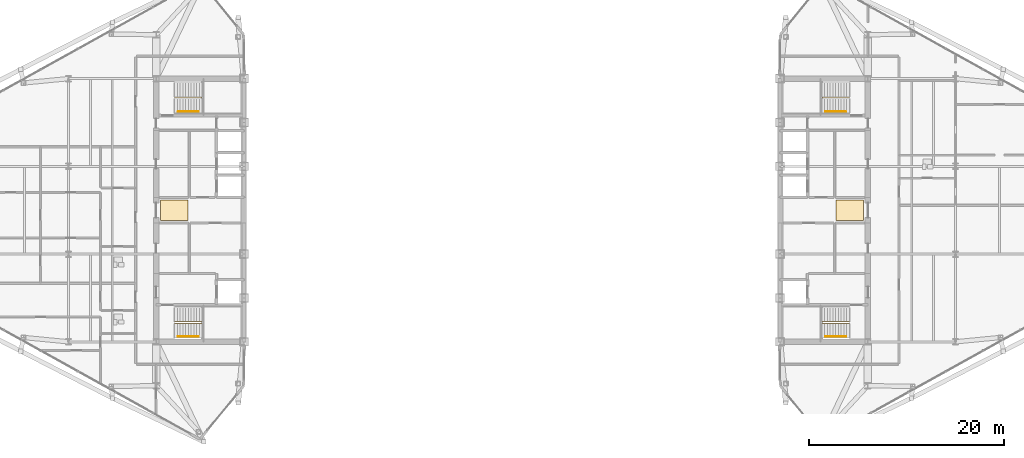
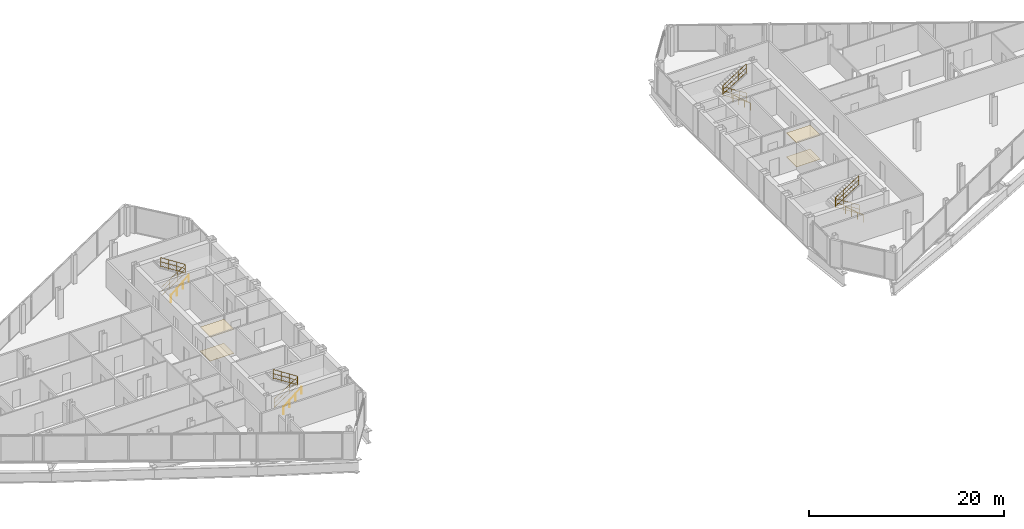
# One storey, part 27 of 28: 8 railings, 4 coverings.
"""IFC4 building model written with IfcOpenShell, lengths in metres."""

from ifc_helpers import new_model, si_unit, direction, frame, origin, origin_2d, place, context, subcontext, project, spatial, polyline, circle, outline, extrude, material, layer, layer_set, type_object, element, save


model = new_model("IFC4")

# Units and contexts
model_context = context("Model", 3, precision=1e-05, world=origin(), true_north=direction((0.0, 1.0)))
body_context = subcontext(model_context, "Body", "Model", "MODEL_VIEW")
ifc_project = project(units=[si_unit("LENGTHUNIT", "METRE"), si_unit("AREAUNIT", "SQUARE_METRE"), si_unit("VOLUMEUNIT", "CUBIC_METRE"), si_unit("PLANEANGLEUNIT", "RADIAN"), si_unit("MASSUNIT", "GRAM", prefix="KILO")], contexts=[model_context])

# Site, building, storey
site_placement = place(None, origin())
site = spatial("IfcSite", under=ifc_project, at=site_placement, CompositionType="ELEMENT")
building_placement = place(site_placement, origin())
building = spatial("IfcBuilding", under=site, at=building_placement, Name="Seokmaru Belvedere", CompositionType="ELEMENT")
storey_placement = place(building_placement, frame((0.0, 0.0, 158.39990234375)))
storey = spatial("IfcBuildingStorey", under=building, at=storey_placement, Name="L42", CompositionType="ELEMENT", Elevation=158.39990234375)

# Coverings
ifc_material_1 = material(Name="Engineered White Oak Timber", Category="wood")
ifc_layer_1 = layer(ifc_material_1, 0.02197265625)
ifc_layer_set_1 = layer_set([ifc_layer_1], Name="Engineered White Oak Timber")
covering_type_1 = type_object("IfcCoveringType", Name="Engineered Oak Residence Floor Finish 22", PredefinedType="FLOORING", material=ifc_layer_set_1)
covering_1_placement = place(storey_placement, origin())
element("IfcCovering", 1, at=covering_1_placement, inside=storey, type_object=covering_type_1, Name="L42 W Foyer Floor Finish", PredefinedType="FLOORING", context=body_context, shape_type="SweptSolid", body=[
    extrude(outline(polyline([(-36.050048828125, -1.050048828125), (-33.25, -1.050048828125), (-33.25, 1.050048828125), (-36.050048828125, 1.050048828125), (-36.050048828125, -1.050048828125)])), origin(), (0.0, 0.0, 1.0), 0.022216796875),
])
covering_2_placement = place(storey_placement, origin())
element("IfcCovering", 2, at=covering_2_placement, inside=storey, type_object=covering_type_1, Name="L42 E Foyer Floor Finish", PredefinedType="FLOORING", context=body_context, shape_type="SweptSolid", body=[
    extrude(outline(polyline([(33.25, -1.050048828125), (36.050048828125, -1.050048828125), (36.050048828125, 1.050048828125), (33.25, 1.050048828125), (33.25, -1.050048828125)])), origin(), (0.0, 0.0, 1.0), 0.022216796875),
])
ifc_material_2 = material(Name="Fire-Rated Gypsum Shaftwall")
ifc_layer_2 = layer(ifc_material_2, 0.02490234375)
ifc_layer_set_2 = layer_set([ifc_layer_2], Name="Fire-Rated Gypsum Shaftwall")
covering_type_2 = type_object("IfcCoveringType", Name="Perforated Acoustic Gypsum Suspended Ceiling 25", PredefinedType="CEILING", material=ifc_layer_set_2)
covering_3_placement = place(storey_placement, frame((0.0, 0.0, 2.989990234375)))
element("IfcCovering", 3, at=covering_3_placement, inside=storey, type_object=covering_type_2, Name="L42 W Lift Foyer Acoustic Ceiling", PredefinedType="CEILING", context=body_context, shape_type="SweptSolid", body=[
    extrude(outline(polyline([(-36.050048828125, -1.050048828125), (-33.25, -1.050048828125), (-33.25, 1.050048828125), (-36.050048828125, 1.050048828125), (-36.050048828125, -1.050048828125)])), origin(), (0.0, 0.0, 1.0), 0.025146484375),
])
covering_4_placement = place(storey_placement, frame((0.0, 0.0, 2.989990234375)))
element("IfcCovering", 4, at=covering_4_placement, inside=storey, type_object=covering_type_2, Name="L42 E Lift Foyer Acoustic Ceiling", PredefinedType="CEILING", context=body_context, shape_type="SweptSolid", body=[
    extrude(outline(polyline([(33.25, -1.050048828125), (36.050048828125, -1.050048828125), (36.050048828125, 1.050048828125), (33.25, 1.050048828125), (33.25, -1.050048828125)])), origin(), (0.0, 0.0, 1.0), 0.025146484375),
])

# Railings
ifc_material_3 = material(Name="Stainless Steel 316", Category="steel")
railing_type_1 = type_object("IfcRailingType", Name="Stainless Steel Wall and Flight Handrail 900", PredefinedType="HANDRAIL", material=ifc_material_3)
for number, where, name in (
    (5, (-34.25, -12.949951171875, 0.0), "L42 Stair ST-W1 Wall Handrail"),
    (6, (-34.25, 10.110107421875, 0.0), "L42 Stair ST-W2 Wall Handrail"),
):
    element("IfcRailing", number, at=place(storey_placement, frame(where)), inside=storey, type_object=railing_type_1, Name=name, PredefinedType="HANDRAIL", context=body_context, shape_type="SweptSolid", body=[
        extrude(circle(Radius=0.02392578125, at=origin_2d()), frame((0.0, 0.0, 0.8759765625), z_axis=(0.759262832861, 0.0, 0.650784104474), x_axis=(0.0, 1.0, 0.0)), (0.0, 0.0, 1.0), 2.765869140625),
        extrude(circle(Radius=0.02099609375, at=origin_2d()), origin(), (0.0, 0.0, 1.0), 0.851806640625),
        extrude(circle(Radius=0.02099609375, at=origin_2d()), frame((0.699951171875, 0.0, 0.60009765625)), (0.0, 0.0, 1.0), 0.851806640625),
        extrude(circle(Radius=0.02099609375, at=origin_2d()), frame((1.400146484375, 0.0, 1.199951171875)), (0.0, 0.0, 1.0), 0.851806640625),
        extrude(circle(Radius=0.02099609375, at=origin_2d()), frame((2.10009765625, 0.0, 1.800048828125)), (0.0, 0.0, 1.0), 0.851806640625),
    ])
for number, where, name in (
    (7, (34.25, -12.949951171875, 0.0), "L42 Stair ST-E1 Wall Handrail"),
    (8, (34.25, 10.110107421875, 0.0), "L42 Stair ST-E2 Wall Handrail"),
):
    element("IfcRailing", number, at=place(storey_placement, frame(where)), inside=storey, type_object=railing_type_1, Name=name, PredefinedType="HANDRAIL", context=body_context, shape_type="SweptSolid", body=[
        extrude(circle(Radius=0.02392578125, at=origin_2d()), frame((0.0, 0.0, 0.8759765625), z_axis=(-0.759262832861, 0.0, 0.650784104474), x_axis=(0.0, -1.0, 0.0)), (0.0, 0.0, 1.0), 2.765869140625),
        extrude(circle(Radius=0.02099609375, at=origin_2d()), origin(), (0.0, 0.0, 1.0), 0.851806640625),
        extrude(circle(Radius=0.02099609375, at=origin_2d()), frame((-0.699951171875, 0.0, 0.60009765625)), (0.0, 0.0, 1.0), 0.851806640625),
        extrude(circle(Radius=0.02099609375, at=origin_2d()), frame((-1.400146484375, 0.0, 1.199951171875)), (0.0, 0.0, 1.0), 0.851806640625),
        extrude(circle(Radius=0.02099609375, at=origin_2d()), frame((-2.10009765625, 0.0, 1.800048828125)), (0.0, 0.0, 1.0), 0.851806640625),
    ])
railing_type_2 = type_object("IfcRailingType", Name="Stair Well and Atrium Steel Guardrail 1200", PredefinedType="GUARDRAIL", material=ifc_material_3)
railing_1_placement = place(storey_placement, frame((-34.60009765625, -11.60009765625, 0.0)))
element("IfcRailing", 9, at=railing_1_placement, inside=storey, type_object=railing_type_2, Name="L42 Stair ST-W1 Inner Well Guardrail", PredefinedType="GUARDRAIL", context=body_context, shape_type="SweptSolid", body=[
    extrude(circle(Radius=0.02392578125, at=origin_2d()), frame((0.0, 0.0, 1.17578125), z_axis=(0.841176092368, 0.0, 0.540761298198), x_axis=(0.0, 1.0, 0.0)), (0.0, 0.0, 1.0), 3.32861328125),
    extrude(circle(Radius=0.02392578125, at=origin_2d()), frame((0.0, 0.0, 0.1201171875), z_axis=(0.841176092368, 0.0, 0.540761298198), x_axis=(0.0, 1.0, 0.0)), (0.0, 0.0, 1.0), 3.32861328125),
    extrude(circle(Radius=0.02392578125, at=origin_2d()), frame((0.0, 0.0, 0.659912109375), z_axis=(0.841176092368, 0.0, 0.540761298198), x_axis=(0.0, 1.0, 0.0)), (0.0, 0.0, 1.0), 3.32861328125),
    extrude(circle(Radius=0.02392578125, at=origin_2d()), frame((2.800048828125, 0.0, 2.97607421875), z_axis=(0.0, 1.0, 0.0), x_axis=(-1.0, 0.0, 0.0)), (0.0, 0.0, 1.0), 0.14013671875),
    extrude(circle(Radius=0.02392578125, at=origin_2d()), frame((2.800048828125, 0.0, 1.920166015625), z_axis=(0.0, 1.0, 0.0), x_axis=(-1.0, 0.0, 0.0)), (0.0, 0.0, 1.0), 0.14013671875),
    extrude(circle(Radius=0.02392578125, at=origin_2d()), frame((2.800048828125, 0.0, 2.4599609375), z_axis=(0.0, 1.0, 0.0), x_axis=(-1.0, 0.0, 0.0)), (0.0, 0.0, 1.0), 0.14013671875),
    extrude(circle(Radius=0.02392578125, at=origin_2d()), frame((2.800048828125, 0.14013671875, 2.97607421875), z_axis=(-0.841176092368, 0.0, 0.540761298198), x_axis=(0.0, -1.0, 0.0)), (0.0, 0.0, 1.0), 3.32861328125),
    extrude(circle(Radius=0.02392578125, at=origin_2d()), frame((2.800048828125, 0.14013671875, 1.920166015625), z_axis=(-0.841176092368, 0.0, 0.540761298198), x_axis=(0.0, -1.0, 0.0)), (0.0, 0.0, 1.0), 3.32861328125),
    extrude(circle(Radius=0.02392578125, at=origin_2d()), frame((2.800048828125, 0.14013671875, 2.4599609375), z_axis=(-0.841176092368, 0.0, 0.540761298198), x_axis=(0.0, -1.0, 0.0)), (0.0, 0.0, 1.0), 3.32861328125),
    extrude(circle(Radius=0.02099609375, at=origin_2d()), origin(), (0.0, 0.0, 1.0), 1.15185546875),
    extrude(circle(Radius=0.02099609375, at=origin_2d()), frame((0.933349609375, 0.0, 0.60009765625)), (0.0, 0.0, 1.0), 1.15185546875),
    extrude(circle(Radius=0.02099609375, at=origin_2d()), frame((1.86669921875, 0.0, 1.199951171875)), (0.0, 0.0, 1.0), 1.15185546875),
    extrude(circle(Radius=0.02099609375, at=origin_2d()), frame((2.800048828125, 0.0, 1.800048828125)), (0.0, 0.0, 1.0), 1.15185546875),
    extrude(circle(Radius=0.02099609375, at=origin_2d()), frame((2.800048828125, 0.14013671875, 1.800048828125)), (0.0, 0.0, 1.0), 1.15185546875),
    extrude(circle(Radius=0.02099609375, at=origin_2d()), frame((1.86669921875, 0.14013671875, 2.400146484375)), (0.0, 0.0, 1.0), 1.15185546875),
    extrude(circle(Radius=0.02099609375, at=origin_2d()), frame((0.933349609375, 0.14013671875, 3.0)), (0.0, 0.0, 1.0), 1.15185546875),
    extrude(circle(Radius=0.02099609375, at=origin_2d()), frame((0.0, 0.14013671875, 3.60009765625)), (0.0, 0.0, 1.0), 1.15185546875),
])
railing_2_placement = place(storey_placement, frame((-34.60009765625, 11.4599609375, 0.0)))
element("IfcRailing", 10, at=railing_2_placement, inside=storey, type_object=railing_type_2, Name="L42 Stair ST-W2 Inner Well Guardrail", PredefinedType="GUARDRAIL", context=body_context, shape_type="SweptSolid", body=[
    extrude(circle(Radius=0.02392578125, at=origin_2d()), frame((0.0, 0.0, 1.17578125), z_axis=(0.841176092368, 0.0, 0.540761298198), x_axis=(0.0, 1.0, 0.0)), (0.0, 0.0, 1.0), 3.32861328125),
    extrude(circle(Radius=0.02392578125, at=origin_2d()), frame((0.0, 0.0, 0.1201171875), z_axis=(0.841176092368, 0.0, 0.540761298198), x_axis=(0.0, 1.0, 0.0)), (0.0, 0.0, 1.0), 3.32861328125),
    extrude(circle(Radius=0.02392578125, at=origin_2d()), frame((0.0, 0.0, 0.659912109375), z_axis=(0.841176092368, 0.0, 0.540761298198), x_axis=(0.0, 1.0, 0.0)), (0.0, 0.0, 1.0), 3.32861328125),
    extrude(circle(Radius=0.02392578125, at=origin_2d()), frame((2.800048828125, 0.0, 2.97607421875), z_axis=(0.0, 1.0, 0.0), x_axis=(-1.0, 0.0, 0.0)), (0.0, 0.0, 1.0), 0.14013671875),
    extrude(circle(Radius=0.02392578125, at=origin_2d()), frame((2.800048828125, 0.0, 1.920166015625), z_axis=(0.0, 1.0, 0.0), x_axis=(-1.0, 0.0, 0.0)), (0.0, 0.0, 1.0), 0.14013671875),
    extrude(circle(Radius=0.02392578125, at=origin_2d()), frame((2.800048828125, 0.0, 2.4599609375), z_axis=(0.0, 1.0, 0.0), x_axis=(-1.0, 0.0, 0.0)), (0.0, 0.0, 1.0), 0.14013671875),
    extrude(circle(Radius=0.02392578125, at=origin_2d()), frame((2.800048828125, 0.14013671875, 2.97607421875), z_axis=(-0.841176092368, 0.0, 0.540761298198), x_axis=(0.0, -1.0, 0.0)), (0.0, 0.0, 1.0), 3.32861328125),
    extrude(circle(Radius=0.02392578125, at=origin_2d()), frame((2.800048828125, 0.14013671875, 1.920166015625), z_axis=(-0.841176092368, 0.0, 0.540761298198), x_axis=(0.0, -1.0, 0.0)), (0.0, 0.0, 1.0), 3.32861328125),
    extrude(circle(Radius=0.02392578125, at=origin_2d()), frame((2.800048828125, 0.14013671875, 2.4599609375), z_axis=(-0.841176092368, 0.0, 0.540761298198), x_axis=(0.0, -1.0, 0.0)), (0.0, 0.0, 1.0), 3.32861328125),
    extrude(circle(Radius=0.02099609375, at=origin_2d()), origin(), (0.0, 0.0, 1.0), 1.15185546875),
    extrude(circle(Radius=0.02099609375, at=origin_2d()), frame((0.933349609375, 0.0, 0.60009765625)), (0.0, 0.0, 1.0), 1.15185546875),
    extrude(circle(Radius=0.02099609375, at=origin_2d()), frame((1.86669921875, 0.0, 1.199951171875)), (0.0, 0.0, 1.0), 1.15185546875),
    extrude(circle(Radius=0.02099609375, at=origin_2d()), frame((2.800048828125, 0.0, 1.800048828125)), (0.0, 0.0, 1.0), 1.15185546875),
    extrude(circle(Radius=0.02099609375, at=origin_2d()), frame((2.800048828125, 0.14013671875, 1.800048828125)), (0.0, 0.0, 1.0), 1.15185546875),
    extrude(circle(Radius=0.02099609375, at=origin_2d()), frame((1.86669921875, 0.14013671875, 2.400146484375)), (0.0, 0.0, 1.0), 1.15185546875),
    extrude(circle(Radius=0.02099609375, at=origin_2d()), frame((0.933349609375, 0.14013671875, 3.0)), (0.0, 0.0, 1.0), 1.15185546875),
    extrude(circle(Radius=0.02099609375, at=origin_2d()), frame((0.0, 0.14013671875, 3.60009765625)), (0.0, 0.0, 1.0), 1.15185546875),
])
railing_3_placement = place(storey_placement, frame((34.60009765625, -11.60009765625, 0.0)))
element("IfcRailing", 11, at=railing_3_placement, inside=storey, type_object=railing_type_2, Name="L42 Stair ST-E1 Inner Well Guardrail", PredefinedType="GUARDRAIL", context=body_context, shape_type="SweptSolid", body=[
    extrude(circle(Radius=0.02392578125, at=origin_2d()), frame((0.0, 0.0, 1.17578125), z_axis=(-0.841176092368, 0.0, 0.540761298198), x_axis=(0.0, -1.0, 0.0)), (0.0, 0.0, 1.0), 3.32861328125),
    extrude(circle(Radius=0.02392578125, at=origin_2d()), frame((0.0, 0.0, 0.1201171875), z_axis=(-0.841176092368, 0.0, 0.540761298198), x_axis=(0.0, -1.0, 0.0)), (0.0, 0.0, 1.0), 3.32861328125),
    extrude(circle(Radius=0.02392578125, at=origin_2d()), frame((0.0, 0.0, 0.659912109375), z_axis=(-0.841176092368, 0.0, 0.540761298198), x_axis=(0.0, -1.0, 0.0)), (0.0, 0.0, 1.0), 3.32861328125),
    extrude(circle(Radius=0.02392578125, at=origin_2d()), frame((-2.800048828125, 0.0, 2.97607421875), z_axis=(0.0, 1.0, 0.0), x_axis=(-1.0, 0.0, 0.0)), (0.0, 0.0, 1.0), 0.14013671875),
    extrude(circle(Radius=0.02392578125, at=origin_2d()), frame((-2.800048828125, 0.0, 1.920166015625), z_axis=(0.0, 1.0, 0.0), x_axis=(-1.0, 0.0, 0.0)), (0.0, 0.0, 1.0), 0.14013671875),
    extrude(circle(Radius=0.02392578125, at=origin_2d()), frame((-2.800048828125, 0.0, 2.4599609375), z_axis=(0.0, 1.0, 0.0), x_axis=(-1.0, 0.0, 0.0)), (0.0, 0.0, 1.0), 0.14013671875),
    extrude(circle(Radius=0.02392578125, at=origin_2d()), frame((-2.800048828125, 0.14013671875, 2.97607421875), z_axis=(0.841176092368, 0.0, 0.540761298198), x_axis=(0.0, 1.0, 0.0)), (0.0, 0.0, 1.0), 3.32861328125),
    extrude(circle(Radius=0.02392578125, at=origin_2d()), frame((-2.800048828125, 0.14013671875, 1.920166015625), z_axis=(0.841176092368, 0.0, 0.540761298198), x_axis=(0.0, 1.0, 0.0)), (0.0, 0.0, 1.0), 3.32861328125),
    extrude(circle(Radius=0.02392578125, at=origin_2d()), frame((-2.800048828125, 0.14013671875, 2.4599609375), z_axis=(0.841176092368, 0.0, 0.540761298198), x_axis=(0.0, 1.0, 0.0)), (0.0, 0.0, 1.0), 3.32861328125),
    extrude(circle(Radius=0.02099609375, at=origin_2d()), origin(), (0.0, 0.0, 1.0), 1.15185546875),
    extrude(circle(Radius=0.02099609375, at=origin_2d()), frame((-0.933349609375, 0.0, 0.60009765625)), (0.0, 0.0, 1.0), 1.15185546875),
    extrude(circle(Radius=0.02099609375, at=origin_2d()), frame((-1.86669921875, 0.0, 1.199951171875)), (0.0, 0.0, 1.0), 1.15185546875),
    extrude(circle(Radius=0.02099609375, at=origin_2d()), frame((-2.800048828125, 0.0, 1.800048828125)), (0.0, 0.0, 1.0), 1.15185546875),
    extrude(circle(Radius=0.02099609375, at=origin_2d()), frame((-2.800048828125, 0.14013671875, 1.800048828125)), (0.0, 0.0, 1.0), 1.15185546875),
    extrude(circle(Radius=0.02099609375, at=origin_2d()), frame((-1.86669921875, 0.14013671875, 2.400146484375)), (0.0, 0.0, 1.0), 1.15185546875),
    extrude(circle(Radius=0.02099609375, at=origin_2d()), frame((-0.933349609375, 0.14013671875, 3.0)), (0.0, 0.0, 1.0), 1.15185546875),
    extrude(circle(Radius=0.02099609375, at=origin_2d()), frame((0.0, 0.14013671875, 3.60009765625)), (0.0, 0.0, 1.0), 1.15185546875),
])
railing_4_placement = place(storey_placement, frame((34.60009765625, 11.4599609375, 0.0)))
element("IfcRailing", 12, at=railing_4_placement, inside=storey, type_object=railing_type_2, Name="L42 Stair ST-E2 Inner Well Guardrail", PredefinedType="GUARDRAIL", context=body_context, shape_type="SweptSolid", body=[
    extrude(circle(Radius=0.02392578125, at=origin_2d()), frame((0.0, 0.0, 1.17578125), z_axis=(-0.841176092368, 0.0, 0.540761298198), x_axis=(0.0, -1.0, 0.0)), (0.0, 0.0, 1.0), 3.32861328125),
    extrude(circle(Radius=0.02392578125, at=origin_2d()), frame((0.0, 0.0, 0.1201171875), z_axis=(-0.841176092368, 0.0, 0.540761298198), x_axis=(0.0, -1.0, 0.0)), (0.0, 0.0, 1.0), 3.32861328125),
    extrude(circle(Radius=0.02392578125, at=origin_2d()), frame((0.0, 0.0, 0.659912109375), z_axis=(-0.841176092368, 0.0, 0.540761298198), x_axis=(0.0, -1.0, 0.0)), (0.0, 0.0, 1.0), 3.32861328125),
    extrude(circle(Radius=0.02392578125, at=origin_2d()), frame((-2.800048828125, 0.0, 2.97607421875), z_axis=(0.0, 1.0, 0.0), x_axis=(-1.0, 0.0, 0.0)), (0.0, 0.0, 1.0), 0.14013671875),
    extrude(circle(Radius=0.02392578125, at=origin_2d()), frame((-2.800048828125, 0.0, 1.920166015625), z_axis=(0.0, 1.0, 0.0), x_axis=(-1.0, 0.0, 0.0)), (0.0, 0.0, 1.0), 0.14013671875),
    extrude(circle(Radius=0.02392578125, at=origin_2d()), frame((-2.800048828125, 0.0, 2.4599609375), z_axis=(0.0, 1.0, 0.0), x_axis=(-1.0, 0.0, 0.0)), (0.0, 0.0, 1.0), 0.14013671875),
    extrude(circle(Radius=0.02392578125, at=origin_2d()), frame((-2.800048828125, 0.14013671875, 2.97607421875), z_axis=(0.841176092368, 0.0, 0.540761298198), x_axis=(0.0, 1.0, 0.0)), (0.0, 0.0, 1.0), 3.32861328125),
    extrude(circle(Radius=0.02392578125, at=origin_2d()), frame((-2.800048828125, 0.14013671875, 1.920166015625), z_axis=(0.841176092368, 0.0, 0.540761298198), x_axis=(0.0, 1.0, 0.0)), (0.0, 0.0, 1.0), 3.32861328125),
    extrude(circle(Radius=0.02392578125, at=origin_2d()), frame((-2.800048828125, 0.14013671875, 2.4599609375), z_axis=(0.841176092368, 0.0, 0.540761298198), x_axis=(0.0, 1.0, 0.0)), (0.0, 0.0, 1.0), 3.32861328125),
    extrude(circle(Radius=0.02099609375, at=origin_2d()), origin(), (0.0, 0.0, 1.0), 1.15185546875),
    extrude(circle(Radius=0.02099609375, at=origin_2d()), frame((-0.933349609375, 0.0, 0.60009765625)), (0.0, 0.0, 1.0), 1.15185546875),
    extrude(circle(Radius=0.02099609375, at=origin_2d()), frame((-1.86669921875, 0.0, 1.199951171875)), (0.0, 0.0, 1.0), 1.15185546875),
    extrude(circle(Radius=0.02099609375, at=origin_2d()), frame((-2.800048828125, 0.0, 1.800048828125)), (0.0, 0.0, 1.0), 1.15185546875),
    extrude(circle(Radius=0.02099609375, at=origin_2d()), frame((-2.800048828125, 0.14013671875, 1.800048828125)), (0.0, 0.0, 1.0), 1.15185546875),
    extrude(circle(Radius=0.02099609375, at=origin_2d()), frame((-1.86669921875, 0.14013671875, 2.400146484375)), (0.0, 0.0, 1.0), 1.15185546875),
    extrude(circle(Radius=0.02099609375, at=origin_2d()), frame((-0.933349609375, 0.14013671875, 3.0)), (0.0, 0.0, 1.0), 1.15185546875),
    extrude(circle(Radius=0.02099609375, at=origin_2d()), frame((0.0, 0.14013671875, 3.60009765625)), (0.0, 0.0, 1.0), 1.15185546875),
])

save(model, "model.ifc")
